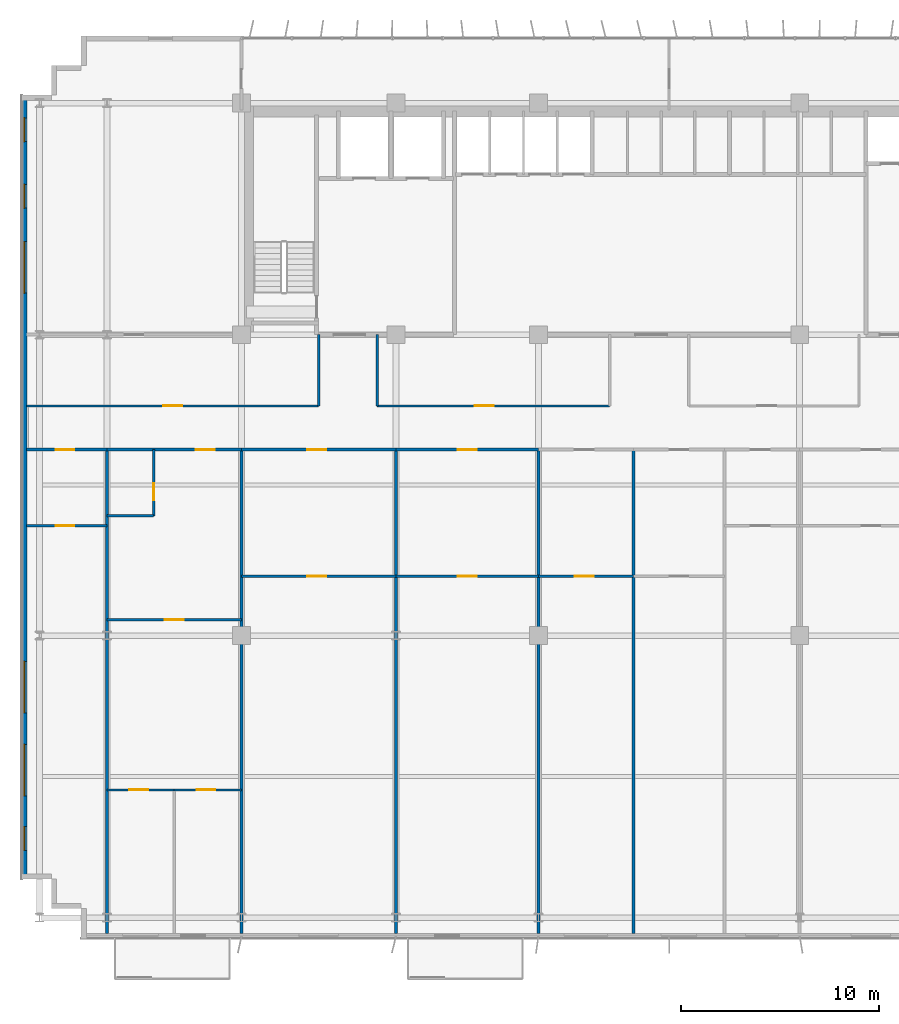
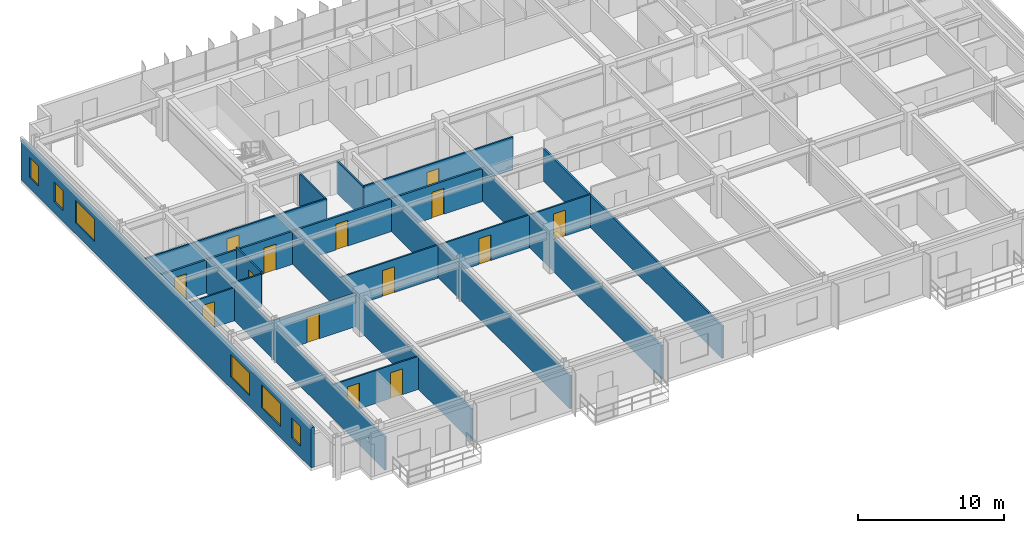
# One storey, part 15 of 22: 23 walls, 14 doors, 6 windows, 20 openings.
"""IFC4 building model written with IfcOpenShell, lengths in metres."""

from ifc_helpers import new_model, si_unit, direction, frame, frame_2d, origin, place, context, subcontext, project, spatial, rectangle, extrude, source, transform, mapped, material, layer, layer_set, type_object, element, fill, save


model = new_model("IFC4")

# Units and contexts
model_context = context("Model", 3, precision=1e-05, world=origin(), true_north=direction((0.0, 1.0)))
body_context = subcontext(model_context, "Body", "Model", "MODEL_VIEW")
ifc_project = project(units=[si_unit("LENGTHUNIT", "METRE"), si_unit("AREAUNIT", "SQUARE_METRE"), si_unit("VOLUMEUNIT", "CUBIC_METRE"), si_unit("PLANEANGLEUNIT", "RADIAN"), si_unit("MASSUNIT", "GRAM", prefix="KILO")], contexts=[model_context])

# Site, building, storey
site_placement = place(None, origin())
site = spatial("IfcSite", under=ifc_project, at=site_placement, CompositionType="ELEMENT")
building_placement = place(site_placement, origin())
building = spatial("IfcBuilding", under=site, at=building_placement, Name="Trelvane Seafront Commons", CompositionType="ELEMENT")
storey_placement = place(building_placement, frame((0.0, 0.0, 55.89990234375)))
storey = spatial("IfcBuildingStorey", under=building, at=storey_placement, Name="L14", CompositionType="ELEMENT", Elevation=55.89990234375)

# Wall, openings, windows
ifc_material_1 = material(Name="Precast concrete C40/50", Category="concrete")
ifc_layer_1 = layer(ifc_material_1, 0.260009765625, Name="ARCH-WALL-EXT260")
ifc_layer_set_1 = layer_set([ifc_layer_1], Name="Precast concrete C40/50")
wall_type_1 = type_object("IfcWallType", Name="ARCH-WALL-EXT260", PredefinedType="SOLIDWALL", material=ifc_layer_set_1)
wall_1_placement = place(storey_placement, frame((4.6298828125, 5.89990234375, 0.0), z_axis=(0.0, 0.0, 1.0), x_axis=(0.0, 1.0, 0.0)))
wall_1 = element("IfcWall", 1, at=wall_1_placement, inside=storey, type_object=wall_type_1, Name="EW-L14-00239", PredefinedType="SOLIDWALL", context=body_context, shape_type="SweptSolid", body=[
    extrude(rectangle(XDim=39.60009765625, YDim=0.260009765625, at=frame_2d((19.800048828125, 0.0))), origin(), (0.0, 0.0, 1.0), 3.340087890625),
])
opening_1_placement = place(wall_1_placement, frame((1.449951171875, 0.0, 0.919921875)))
opening_1 = element("IfcOpeningElement", 2, at=opening_1_placement, cuts=wall_1, Name="Opening W05", PredefinedType="OPENING", context=body_context, shape_type="SweptSolid", body=[
    extrude(rectangle(XDim=1.199951171875, YDim=1.64990234375, at=frame_2d((0.60009765625, 0.824951171875))), frame((0.0, 0.139892578125, 0.0), z_axis=(0.0, -1.0, 0.0), x_axis=(1.0, 0.0, 0.0)), (0.0, 0.0, 1.0), 0.280029296875),
])
opening_2_placement = place(wall_1_placement, frame((4.199951171875, 0.0, 0.919921875)))
opening_2 = element("IfcOpeningElement", 3, at=opening_2_placement, cuts=wall_1, Name="Opening W04", PredefinedType="OPENING", context=body_context, shape_type="SweptSolid", body=[
    extrude(rectangle(XDim=2.60009765625, YDim=1.89990234375, at=frame_2d((1.300048828125, 0.949951171875))), frame((0.0, 0.139892578125, 0.0), z_axis=(0.0, -1.0, 0.0), x_axis=(1.0, 0.0, 0.0)), (0.0, 0.0, 1.0), 0.280029296875),
])
opening_3_placement = place(wall_1_placement, frame((8.39990234375, 0.0, 0.919921875)))
opening_3 = element("IfcOpeningElement", 4, at=opening_3_placement, cuts=wall_1, Name="Opening W04", PredefinedType="OPENING", context=body_context, shape_type="SweptSolid", body=[
    extrude(rectangle(XDim=2.60009765625, YDim=1.89990234375, at=frame_2d((1.300048828125, 0.949951171875))), frame((0.0, 0.139892578125, 0.0), z_axis=(0.0, -1.0, 0.0), x_axis=(1.0, 0.0, 0.0)), (0.0, 0.0, 1.0), 0.280029296875),
])
opening_4_placement = place(wall_1_placement, frame((29.60009765625, 0.0, 0.919921875)))
opening_4 = element("IfcOpeningElement", 5, at=opening_4_placement, cuts=wall_1, Name="Opening W04", PredefinedType="OPENING", context=body_context, shape_type="SweptSolid", body=[
    extrude(rectangle(XDim=2.60009765625, YDim=1.89990234375, at=frame_2d((1.300048828125, 0.949951171875))), frame((0.0, 0.139892578125, 0.0), z_axis=(0.0, -1.0, 0.0), x_axis=(1.0, 0.0, 0.0)), (0.0, 0.0, 1.0), 0.280029296875),
])
opening_5_placement = place(wall_1_placement, frame((33.89990234375, 0.0, 0.919921875)))
opening_5 = element("IfcOpeningElement", 6, at=opening_5_placement, cuts=wall_1, Name="Opening W05", PredefinedType="OPENING", context=body_context, shape_type="SweptSolid", body=[
    extrude(rectangle(XDim=1.199951171875, YDim=1.64990234375, at=frame_2d((0.60009765625, 0.824951171875))), frame((0.0, 0.139892578125, 0.0), z_axis=(0.0, -1.0, 0.0), x_axis=(1.0, 0.0, 0.0)), (0.0, 0.0, 1.0), 0.280029296875),
])
opening_6_placement = place(wall_1_placement, frame((37.25, 0.0, 0.919921875)))
opening_6 = element("IfcOpeningElement", 7, at=opening_6_placement, cuts=wall_1, Name="Opening W05", PredefinedType="OPENING", context=body_context, shape_type="SweptSolid", body=[
    extrude(rectangle(XDim=1.199951171875, YDim=1.64990234375, at=frame_2d((0.60009765625, 0.824951171875))), frame((0.0, 0.139892578125, 0.0), z_axis=(0.0, -1.0, 0.0), x_axis=(1.0, 0.0, 0.0)), (0.0, 0.0, 1.0), 0.280029296875),
])
ifc_material_2 = material(Name="Low-E coastal double glazing", Category="glass")
window_type_1 = type_object("IfcWindowType", Name="ARCH-WIN-W04", PartitioningType="SINGLE_PANEL", PredefinedType="WINDOW", material=ifc_material_2)
shared_shape_1 = source(origin(), body_context, "Body", "SweptSolid", [
    extrude(rectangle(XDim=2.60009765625, YDim=1.89990234375, at=frame_2d((1.300048828125, 0.949951171875))), frame((0.0, 0.030029296875, 0.0), z_axis=(0.0, -1.0, 0.0), x_axis=(1.0, 0.0, 0.0)), (0.0, 0.0, 1.0), 0.06005859375),
])
window_1_placement = place(opening_2_placement, origin())
window_1 = element("IfcWindow", 8, at=window_1_placement, inside=storey, type_object=window_type_1, Name="WIN-L14-EW-00291", OverallHeight=1.89990234375, OverallWidth=2.60009765625, PartitioningType="SINGLE_PANEL", PredefinedType="WINDOW", context=body_context, shape_type="MappedRepresentation", body=[
    mapped(shared_shape_1, transform((0.0, 0.0, 0.0), x_axis=(1.0, 0.0, 0.0), y_axis=(0.0, 1.0, 0.0), z_axis=(0.0, 0.0, 1.0), scale=1.0)),
])
fill(opening_2, window_1)
window_2_placement = place(opening_3_placement, origin())
window_2 = element("IfcWindow", 9, at=window_2_placement, inside=storey, type_object=window_type_1, Name="WIN-L14-EW-00292", OverallHeight=1.89990234375, OverallWidth=2.60009765625, PartitioningType="SINGLE_PANEL", PredefinedType="WINDOW", context=body_context, shape_type="MappedRepresentation", body=[
    mapped(shared_shape_1, transform((0.0, 0.0, 0.0), x_axis=(1.0, 0.0, 0.0), y_axis=(0.0, 1.0, 0.0), z_axis=(0.0, 0.0, 1.0), scale=1.0)),
])
fill(opening_3, window_2)
window_3_placement = place(opening_4_placement, origin())
window_3 = element("IfcWindow", 10, at=window_3_placement, inside=storey, type_object=window_type_1, Name="WIN-L14-EW-00293", OverallHeight=1.89990234375, OverallWidth=2.60009765625, PartitioningType="SINGLE_PANEL", PredefinedType="WINDOW", context=body_context, shape_type="MappedRepresentation", body=[
    mapped(shared_shape_1, transform((0.0, 0.0, 0.0), x_axis=(1.0, 0.0, 0.0), y_axis=(0.0, 1.0, 0.0), z_axis=(0.0, 0.0, 1.0), scale=1.0)),
])
fill(opening_4, window_3)
window_type_2 = type_object("IfcWindowType", Name="ARCH-WIN-W05", PartitioningType="SINGLE_PANEL", PredefinedType="WINDOW", material=ifc_material_2)
shared_shape_2 = source(origin(), body_context, "Body", "SweptSolid", [
    extrude(rectangle(XDim=1.199951171875, YDim=1.64990234375, at=frame_2d((0.60009765625, 0.824951171875))), frame((0.0, 0.030029296875, 0.0), z_axis=(0.0, -1.0, 0.0), x_axis=(1.0, 0.0, 0.0)), (0.0, 0.0, 1.0), 0.06005859375),
])
window_4_placement = place(opening_1_placement, origin())
window_4 = element("IfcWindow", 11, at=window_4_placement, inside=storey, type_object=window_type_2, Name="WIN-L14-EW-00290", OverallHeight=1.64990234375, OverallWidth=1.199951171875, PartitioningType="SINGLE_PANEL", PredefinedType="WINDOW", context=body_context, shape_type="MappedRepresentation", body=[
    mapped(shared_shape_2, transform((0.0, 0.0, 0.0), x_axis=(1.0, 0.0, 0.0), y_axis=(0.0, 1.0, 0.0), z_axis=(0.0, 0.0, 1.0), scale=1.0)),
])
fill(opening_1, window_4)
window_5_placement = place(opening_5_placement, origin())
window_5 = element("IfcWindow", 12, at=window_5_placement, inside=storey, type_object=window_type_2, Name="WIN-L14-EW-00294", OverallHeight=1.64990234375, OverallWidth=1.199951171875, PartitioningType="SINGLE_PANEL", PredefinedType="WINDOW", context=body_context, shape_type="MappedRepresentation", body=[
    mapped(shared_shape_2, transform((0.0, 0.0, 0.0), x_axis=(1.0, 0.0, 0.0), y_axis=(0.0, 1.0, 0.0), z_axis=(0.0, 0.0, 1.0), scale=1.0)),
])
fill(opening_5, window_5)
window_6_placement = place(opening_6_placement, origin())
window_6 = element("IfcWindow", 13, at=window_6_placement, inside=storey, type_object=window_type_2, Name="WIN-L14-EW-00295", OverallHeight=1.64990234375, OverallWidth=1.199951171875, PartitioningType="SINGLE_PANEL", PredefinedType="WINDOW", context=body_context, shape_type="MappedRepresentation", body=[
    mapped(shared_shape_2, transform((0.0, 0.0, 0.0), x_axis=(1.0, 0.0, 0.0), y_axis=(0.0, 1.0, 0.0), z_axis=(0.0, 0.0, 1.0), scale=1.0)),
])
fill(opening_6, window_6)

# Wall, opening, door
ifc_material_3 = material(Name="Gypsum Drywall Acoustic Partition")
ifc_layer_2 = layer(ifc_material_3, 0.1201171875, Name="ARCH-WALL-PART120")
ifc_layer_set_2 = layer_set([ifc_layer_2], Name="Gypsum Drywall Acoustic Partition")
wall_type_2 = type_object("IfcWallType", Name="ARCH-WALL-PART120", PredefinedType="PARTITIONING", material=ifc_layer_set_2)
wall_2_placement = place(storey_placement, frame((4.75, 29.800048828125, 0.0), z_axis=(0.0, 0.0, 1.0), x_axis=(1.0, 0.0, 0.0)))
wall_2 = element("IfcWall", 14, at=wall_2_placement, inside=storey, type_object=wall_type_2, Name="W-L14-CORR-N-W-038", PredefinedType="PARTITIONING", context=body_context, shape_type="SweptSolid", body=[
    extrude(rectangle(XDim=14.75, YDim=0.1201171875, at=frame_2d((7.375, 0.0))), origin(), (0.0, 0.0, 1.0), 2.752197265625),
])
opening_7_placement = place(wall_2_placement, frame((6.89990234375, 0.0, 0.0)))
opening_7 = element("IfcOpeningElement", 15, at=opening_7_placement, cuts=wall_2, Name="Opening D-L14-17", PredefinedType="OPENING", context=body_context, shape_type="SweptSolid", body=[
    extrude(rectangle(XDim=0.949951171875, YDim=2.14990234375, at=frame_2d((0.47509765625, 1.074951171875))), frame((0.0, 0.070068359375, 0.0), z_axis=(0.0, -1.0, 0.0), x_axis=(1.0, 0.0, 0.0)), (0.0, 0.0, 1.0), 0.14013671875),
])
ifc_material_4 = material(Name="Acoustic timber door leaf", Category="wood")
door_type_1 = type_object("IfcDoorType", Name="ARCH-DR-INT950", OperationType="NOTDEFINED", PredefinedType="DOOR", material=ifc_material_4)
shared_shape_3 = source(origin(), body_context, "Body", "SweptSolid", [
    extrude(rectangle(XDim=0.949951171875, YDim=2.14990234375, at=frame_2d((0.47509765625, 1.074951171875))), frame((0.0, 0.02490234375, 0.0), z_axis=(0.0, -1.0, 0.0), x_axis=(1.0, 0.0, 0.0)), (0.0, 0.0, 1.0), 0.050048828125),
])
door_1_placement = place(opening_7_placement, origin())
door_1 = element("IfcDoor", 16, at=door_1_placement, inside=storey, type_object=door_type_1, Name="L14 Door 17", OperationType="SINGLE_SWING_LEFT", OverallHeight=2.14990234375, OverallWidth=0.949951171875, PredefinedType="DOOR", context=body_context, shape_type="MappedRepresentation", body=[
    mapped(shared_shape_3, transform((0.0, 0.0, 0.0), x_axis=(1.0, 0.0, 0.0), y_axis=(0.0, 1.0, 0.0), z_axis=(0.0, 0.0, 1.0), scale=1.0)),
])
fill(opening_7, door_1)

wall_3_placement = place(storey_placement, frame((22.449951171875, 29.800048828125, 0.0), z_axis=(0.0, 0.0, 1.0), x_axis=(1.0, 0.0, 0.0)))
wall_3 = element("IfcWall", 17, at=wall_3_placement, inside=storey, type_object=wall_type_2, Name="W-L14-CORR-N-M1-039", PredefinedType="PARTITIONING", context=body_context, shape_type="SweptSolid", body=[
    extrude(rectangle(XDim=11.75, YDim=0.1201171875, at=frame_2d((5.875, 0.0))), origin(), (0.0, 0.0, 1.0), 2.752197265625),
])
opening_8_placement = place(wall_3_placement, frame((4.944091796875, 0.0, 0.0)))
opening_8 = element("IfcOpeningElement", 18, at=opening_8_placement, cuts=wall_3, Name="Opening D-L14-18", PredefinedType="OPENING", context=body_context, shape_type="SweptSolid", body=[
    extrude(rectangle(XDim=0.949951171875, YDim=2.14990234375, at=frame_2d((0.47509765625, 1.074951171875))), frame((0.0, 0.070068359375, 0.0), z_axis=(0.0, -1.0, 0.0), x_axis=(1.0, 0.0, 0.0)), (0.0, 0.0, 1.0), 0.14013671875),
])
door_2_placement = place(opening_8_placement, origin())
door_2 = element("IfcDoor", 19, at=door_2_placement, inside=storey, type_object=door_type_1, Name="L14 Door 18", OperationType="SINGLE_SWING_RIGHT", OverallHeight=2.14990234375, OverallWidth=0.949951171875, PredefinedType="DOOR", context=body_context, shape_type="MappedRepresentation", body=[
    mapped(shared_shape_3, transform((0.0, 0.0, 0.0), x_axis=(1.0, 0.0, 0.0), y_axis=(0.0, 1.0, 0.0), z_axis=(0.0, 0.0, 1.0), scale=1.0)),
])
fill(opening_8, door_2)

# Walls
for number, where, z_axis, x_axis, name in (
    (20, (19.5, 29.800048828125, 0.0), (0.0, 0.0, 1.0), (0.0, 1.0, 0.0), "W-L14-N-SPUR-W1-043"),
    (21, (22.449951171875, 29.800048828125, 0.0), (0.0, 0.0, 1.0), (0.0, 1.0, 0.0), "W-L14-N-SPUR-W2-044"),
):
    element("IfcWall", number, at=place(storey_placement, frame(where, z_axis=z_axis, x_axis=x_axis)), inside=storey, type_object=wall_type_2, Name=name, PredefinedType="PARTITIONING", context=body_context, shape_type="SweptSolid", body=[
        extrude(rectangle(XDim=3.599853515625, YDim=0.1201171875, at=frame_2d((1.7998046875, 0.0))), origin(), (0.0, 0.0, 1.0), 2.690185546875),
    ])

# Wall, opening, door
wall_4_placement = place(storey_placement, frame((4.7451171875, 23.75, 0.0), z_axis=(0.0, 0.0, 1.0), x_axis=(1.0, 0.0, 0.0)))
wall_4 = element("IfcWall", 22, at=wall_4_placement, inside=storey, type_object=wall_type_2, Name="W-L14-U1-DIV-065", PredefinedType="PARTITIONING", context=body_context, shape_type="SweptSolid", body=[
    extrude(rectangle(XDim=4.054931640625, YDim=0.1201171875, at=frame_2d((2.02734375, 0.0))), origin(), (0.0, 0.0, 1.0), 2.752197265625),
])
opening_9_placement = place(wall_4_placement, frame((1.4619140625, 0.0, 0.0)))
opening_9 = element("IfcOpeningElement", 23, at=opening_9_placement, cuts=wall_4, Name="Opening D-L14-28", PredefinedType="OPENING", context=body_context, shape_type="SweptSolid", body=[
    extrude(rectangle(XDim=0.949951171875, YDim=2.14990234375, at=frame_2d((0.47509765625, 1.074951171875))), frame((0.0, 0.070068359375, 0.0), z_axis=(0.0, -1.0, 0.0), x_axis=(1.0, 0.0, 0.0)), (0.0, 0.0, 1.0), 0.14013671875),
])
door_3_placement = place(opening_9_placement, origin())
door_3 = element("IfcDoor", 24, at=door_3_placement, inside=storey, type_object=door_type_1, Name="L14 Door 28", OperationType="SINGLE_SWING_RIGHT", OverallHeight=2.14990234375, OverallWidth=0.949951171875, PredefinedType="DOOR", context=body_context, shape_type="MappedRepresentation", body=[
    mapped(shared_shape_3, transform((0.0, 0.0, 0.0), x_axis=(1.0, 0.0, 0.0), y_axis=(0.0, 1.0, 0.0), z_axis=(0.0, 0.0, 1.0), scale=1.0)),
])
fill(opening_9, door_3)

wall_5_placement = place(storey_placement, frame((8.800048828125, 19.0, 0.0), z_axis=(0.0, 0.0, 1.0), x_axis=(1.0, 0.0, 0.0)))
wall_5 = element("IfcWall", 25, at=wall_5_placement, inside=storey, type_object=wall_type_2, Name="W-L14-U2-KL-066", PredefinedType="PARTITIONING", context=body_context, shape_type="SweptSolid", body=[
    extrude(rectangle(XDim=6.800048828125, YDim=0.1201171875, at=frame_2d((3.39990234375, 0.0))), origin(), (0.0, 0.0, 1.0), 2.752197265625),
])
opening_10_placement = place(wall_5_placement, frame((2.925048828125, 0.0, 0.0)))
opening_10 = element("IfcOpeningElement", 26, at=opening_10_placement, cuts=wall_5, Name="Opening D-L14-29", PredefinedType="OPENING", context=body_context, shape_type="SweptSolid", body=[
    extrude(rectangle(XDim=0.949951171875, YDim=2.14990234375, at=frame_2d((0.47509765625, 1.074951171875))), frame((0.0, 0.070068359375, 0.0), z_axis=(0.0, -1.0, 0.0), x_axis=(1.0, 0.0, 0.0)), (0.0, 0.0, 1.0), 0.14013671875),
])
door_4_placement = place(opening_10_placement, origin())
door_4 = element("IfcDoor", 27, at=door_4_placement, inside=storey, type_object=door_type_1, Name="L14 Door 29", OperationType="SINGLE_SWING_LEFT", OverallHeight=2.14990234375, OverallWidth=0.949951171875, PredefinedType="DOOR", context=body_context, shape_type="MappedRepresentation", body=[
    mapped(shared_shape_3, transform((0.0, 0.0, 0.0), x_axis=(1.0, 0.0, 0.0), y_axis=(0.0, 1.0, 0.0), z_axis=(0.0, 0.0, 1.0), scale=1.0)),
])
fill(opening_10, door_4)

wall_6_placement = place(storey_placement, frame((11.162109375, 24.25, 0.0), z_axis=(0.0, 0.0, 1.0), x_axis=(0.0, 1.0, 0.0)))
wall_6 = element("IfcWall", 28, at=wall_6_placement, inside=storey, type_object=wall_type_2, Name="W-L14-U2-BE-067", PredefinedType="PARTITIONING", context=body_context, shape_type="SweptSolid", body=[
    extrude(rectangle(XDim=3.35009765625, YDim=0.1201171875, at=frame_2d((1.675048828125, 0.0))), origin(), (0.0, 0.0, 1.0), 2.940185546875),
])
opening_11_placement = place(wall_6_placement, frame((0.800048828125, 0.0, 0.0)))
opening_11 = element("IfcOpeningElement", 29, at=opening_11_placement, cuts=wall_6, Name="Opening D-L14-30", PredefinedType="OPENING", context=body_context, shape_type="SweptSolid", body=[
    extrude(rectangle(XDim=0.85009765625, YDim=2.10009765625, at=frame_2d((0.425048828125, 1.050048828125))), frame((0.0, 0.070068359375, 0.0), z_axis=(0.0, -1.0, 0.0), x_axis=(1.0, 0.0, 0.0)), (0.0, 0.0, 1.0), 0.14013671875),
])
door_type_2 = type_object("IfcDoorType", Name="ARCH-DR-INT850", OperationType="NOTDEFINED", PredefinedType="DOOR", material=ifc_material_4)
shared_shape_4 = source(origin(), body_context, "Body", "SweptSolid", [
    extrude(rectangle(XDim=0.85009765625, YDim=2.10009765625, at=frame_2d((0.425048828125, 1.050048828125))), frame((0.0, 0.02490234375, 0.0), z_axis=(0.0, -1.0, 0.0), x_axis=(1.0, 0.0, 0.0)), (0.0, 0.0, 1.0), 0.050048828125),
])
door_5_placement = place(opening_11_placement, origin())
door_5 = element("IfcDoor", 30, at=door_5_placement, inside=storey, type_object=door_type_2, Name="L14 Door 30", OperationType="SINGLE_SWING_RIGHT", OverallHeight=2.10009765625, OverallWidth=0.85009765625, PredefinedType="DOOR", context=body_context, shape_type="MappedRepresentation", body=[
    mapped(shared_shape_4, transform((0.0, 0.0, 0.0), x_axis=(1.0, 0.0, 0.0), y_axis=(0.0, 1.0, 0.0), z_axis=(0.0, 0.0, 1.0), scale=1.0)),
])
fill(opening_11, door_5)

# Wall
wall_7_placement = place(storey_placement, frame((8.800048828125, 24.25, 0.0), z_axis=(0.0, 0.0, 1.0), x_axis=(1.0, 0.0, 0.0)))
element("IfcWall", 31, at=wall_7_placement, inside=storey, type_object=wall_type_2, Name="W-L14-U2-BS-068", PredefinedType="PARTITIONING", context=body_context, shape_type="SweptSolid", body=[
    extrude(rectangle(XDim=2.362060546875, YDim=0.1201171875, at=frame_2d((1.18115234375, 0.0))), origin(), (0.0, 0.0, 1.0), 2.752197265625),
])

# Wall, opening, door
wall_8_placement = place(storey_placement, frame((8.800048828125, 10.39990234375, 0.0), z_axis=(0.0, 0.0, 1.0), x_axis=(1.0, 0.0, 0.0)))
wall_8 = element("IfcWall", 32, at=wall_8_placement, inside=storey, type_object=wall_type_2, Name="W-L14-U2-YM-1-070", PredefinedType="PARTITIONING", context=body_context, shape_type="SweptSolid", body=[
    extrude(rectangle(XDim=3.39990234375, YDim=0.1201171875, at=frame_2d((1.699951171875, 0.0))), origin(), (0.0, 0.0, 1.0), 2.752197265625),
])
opening_12_placement = place(wall_8_placement, frame((1.131103515625, 0.0, 0.0)))
opening_12 = element("IfcOpeningElement", 33, at=opening_12_placement, cuts=wall_8, Name="Opening D-L14-32", PredefinedType="OPENING", context=body_context, shape_type="SweptSolid", body=[
    extrude(rectangle(XDim=0.949951171875, YDim=2.14990234375, at=frame_2d((0.47509765625, 1.074951171875))), frame((0.0, 0.070068359375, 0.0), z_axis=(0.0, -1.0, 0.0), x_axis=(1.0, 0.0, 0.0)), (0.0, 0.0, 1.0), 0.14013671875),
])
door_6_placement = place(opening_12_placement, origin())
door_6 = element("IfcDoor", 34, at=door_6_placement, inside=storey, type_object=door_type_1, Name="L14 Door 32", OperationType="SINGLE_SWING_RIGHT", OverallHeight=2.14990234375, OverallWidth=0.949951171875, PredefinedType="DOOR", context=body_context, shape_type="MappedRepresentation", body=[
    mapped(shared_shape_3, transform((0.0, 0.0, 0.0), x_axis=(1.0, 0.0, 0.0), y_axis=(0.0, 1.0, 0.0), z_axis=(0.0, 0.0, 1.0), scale=1.0)),
])
fill(opening_12, door_6)

wall_9_placement = place(storey_placement, frame((12.199951171875, 10.39990234375, 0.0), z_axis=(0.0, 0.0, 1.0), x_axis=(1.0, 0.0, 0.0)))
wall_9 = element("IfcWall", 35, at=wall_9_placement, inside=storey, type_object=wall_type_2, Name="W-L14-U2-YM-2-071", PredefinedType="PARTITIONING", context=body_context, shape_type="SweptSolid", body=[
    extrude(rectangle(XDim=3.400146484375, YDim=0.1201171875, at=frame_2d((1.7001953125, 0.0))), origin(), (0.0, 0.0, 1.0), 2.752197265625),
])
opening_13_placement = place(wall_9_placement, frame((1.131103515625, 0.0, 0.0)))
opening_13 = element("IfcOpeningElement", 36, at=opening_13_placement, cuts=wall_9, Name="Opening D-L14-33", PredefinedType="OPENING", context=body_context, shape_type="SweptSolid", body=[
    extrude(rectangle(XDim=0.949951171875, YDim=2.14990234375, at=frame_2d((0.47509765625, 1.074951171875))), frame((0.0, 0.070068359375, 0.0), z_axis=(0.0, -1.0, 0.0), x_axis=(1.0, 0.0, 0.0)), (0.0, 0.0, 1.0), 0.14013671875),
])
door_7_placement = place(opening_13_placement, origin())
door_7 = element("IfcDoor", 37, at=door_7_placement, inside=storey, type_object=door_type_1, Name="L14 Door 33", OperationType="SINGLE_SWING_LEFT", OverallHeight=2.14990234375, OverallWidth=0.949951171875, PredefinedType="DOOR", context=body_context, shape_type="MappedRepresentation", body=[
    mapped(shared_shape_3, transform((0.0, 0.0, 0.0), x_axis=(1.0, 0.0, 0.0), y_axis=(0.0, 1.0, 0.0), z_axis=(0.0, 0.0, 1.0), scale=1.0)),
])
fill(opening_13, door_7)

wall_10_placement = place(storey_placement, frame((15.60009765625, 21.199951171875, 0.0), z_axis=(0.0, 0.0, 1.0), x_axis=(1.0, 0.0, 0.0)))
wall_10 = element("IfcWall", 38, at=wall_10_placement, inside=storey, type_object=wall_type_2, Name="W-L14-U3-DIV-074", PredefinedType="PARTITIONING", context=body_context, shape_type="SweptSolid", body=[
    extrude(rectangle(XDim=7.7998046875, YDim=0.1201171875, at=frame_2d((3.89990234375, 0.0))), origin(), (0.0, 0.0, 1.0), 2.752197265625),
])
opening_14_placement = place(wall_10_placement, frame((3.3330078125, 0.0, 0.0)))
opening_14 = element("IfcOpeningElement", 39, at=opening_14_placement, cuts=wall_10, Name="Opening D-L14-35", PredefinedType="OPENING", context=body_context, shape_type="SweptSolid", body=[
    extrude(rectangle(XDim=0.949951171875, YDim=2.14990234375, at=frame_2d((0.47509765625, 1.074951171875))), frame((0.0, 0.070068359375, 0.0), z_axis=(0.0, -1.0, 0.0), x_axis=(1.0, 0.0, 0.0)), (0.0, 0.0, 1.0), 0.14013671875),
])
door_8_placement = place(opening_14_placement, origin())
door_8 = element("IfcDoor", 40, at=door_8_placement, inside=storey, type_object=door_type_1, Name="L14 Door 35", OperationType="SINGLE_SWING_LEFT", OverallHeight=2.14990234375, OverallWidth=0.949951171875, PredefinedType="DOOR", context=body_context, shape_type="MappedRepresentation", body=[
    mapped(shared_shape_3, transform((0.0, 0.0, 0.0), x_axis=(1.0, 0.0, 0.0), y_axis=(0.0, 1.0, 0.0), z_axis=(0.0, 0.0, 1.0), scale=1.0)),
])
fill(opening_14, door_8)

wall_11_placement = place(storey_placement, frame((23.39990234375, 21.199951171875, 0.0), z_axis=(0.0, 0.0, 1.0), x_axis=(1.0, 0.0, 0.0)))
wall_11 = element("IfcWall", 41, at=wall_11_placement, inside=storey, type_object=wall_type_2, Name="W-L14-U4-DIV-076", PredefinedType="PARTITIONING", context=body_context, shape_type="SweptSolid", body=[
    extrude(rectangle(XDim=7.2001953125, YDim=0.1201171875, at=frame_2d((3.60009765625, 0.0))), origin(), (0.0, 0.0, 1.0), 2.752197265625),
])
opening_15_placement = place(wall_11_placement, frame((3.125, 0.0, 0.0)))
opening_15 = element("IfcOpeningElement", 42, at=opening_15_placement, cuts=wall_11, Name="Opening D-L14-37", PredefinedType="OPENING", context=body_context, shape_type="SweptSolid", body=[
    extrude(rectangle(XDim=0.949951171875, YDim=2.14990234375, at=frame_2d((0.47509765625, 1.074951171875))), frame((0.0, 0.070068359375, 0.0), z_axis=(0.0, -1.0, 0.0), x_axis=(1.0, 0.0, 0.0)), (0.0, 0.0, 1.0), 0.14013671875),
])
door_9_placement = place(opening_15_placement, origin())
door_9 = element("IfcDoor", 43, at=door_9_placement, inside=storey, type_object=door_type_1, Name="L14 Door 37", OperationType="SINGLE_SWING_LEFT", OverallHeight=2.14990234375, OverallWidth=0.949951171875, PredefinedType="DOOR", context=body_context, shape_type="MappedRepresentation", body=[
    mapped(shared_shape_3, transform((0.0, 0.0, 0.0), x_axis=(1.0, 0.0, 0.0), y_axis=(0.0, 1.0, 0.0), z_axis=(0.0, 0.0, 1.0), scale=1.0)),
])
fill(opening_15, door_9)

wall_12_placement = place(storey_placement, frame((30.60009765625, 21.199951171875, 0.0), z_axis=(0.0, 0.0, 1.0), x_axis=(1.0, 0.0, 0.0)))
wall_12 = element("IfcWall", 44, at=wall_12_placement, inside=storey, type_object=wall_type_2, Name="W-L14-U5-DIV-078", PredefinedType="PARTITIONING", context=body_context, shape_type="SweptSolid", body=[
    extrude(rectangle(XDim=4.7998046875, YDim=0.1201171875, at=frame_2d((2.39990234375, 0.0))), origin(), (0.0, 0.0, 1.0), 2.752197265625),
])
opening_16_placement = place(wall_12_placement, frame((1.833984375, 0.0, 0.0)))
opening_16 = element("IfcOpeningElement", 45, at=opening_16_placement, cuts=wall_12, Name="Opening D-L14-39", PredefinedType="OPENING", context=body_context, shape_type="SweptSolid", body=[
    extrude(rectangle(XDim=0.949951171875, YDim=2.14990234375, at=frame_2d((0.47509765625, 1.074951171875))), frame((0.0, 0.070068359375, 0.0), z_axis=(0.0, -1.0, 0.0), x_axis=(1.0, 0.0, 0.0)), (0.0, 0.0, 1.0), 0.14013671875),
])
door_10_placement = place(opening_16_placement, origin())
door_10 = element("IfcDoor", 46, at=door_10_placement, inside=storey, type_object=door_type_1, Name="L14 Door 39", OperationType="SINGLE_SWING_LEFT", OverallHeight=2.14990234375, OverallWidth=0.949951171875, PredefinedType="DOOR", context=body_context, shape_type="MappedRepresentation", body=[
    mapped(shared_shape_3, transform((0.0, 0.0, 0.0), x_axis=(1.0, 0.0, 0.0), y_axis=(0.0, 1.0, 0.0), z_axis=(0.0, 0.0, 1.0), scale=1.0)),
])
fill(opening_16, door_10)

# Walls
ifc_layer_3 = layer(ifc_material_3, 0.14990234375, Name="ARCH-WALL-PART150")
ifc_layer_set_3 = layer_set([ifc_layer_3], Name="Gypsum Drywall Acoustic Partition")
wall_type_3 = type_object("IfcWallType", Name="ARCH-WALL-PART150", PredefinedType="PARTITIONING", material=ifc_layer_set_3)
for number, where, z_axis, x_axis, name in (
    (47, (8.800048828125, 3.14501953125, 0.0), (0.0, 0.0, 1.0), (0.0, 1.0, 0.0), "W-L14-PW-1-054"),
    (48, (15.60009765625, 3.14501953125, 0.0), (0.0, 0.0, 1.0), (0.0, 1.0, 0.0), "W-L14-PW-2-055"),
    (49, (23.39990234375, 3.14501953125, 0.0), (0.0, 0.0, 1.0), (0.0, 1.0, 0.0), "W-L14-PW-3-056"),
    (50, (30.60009765625, 3.14501953125, 0.0), (0.0, 0.0, 1.0), (0.0, 1.0, 0.0), "W-L14-PW-4-057"),
):
    element("IfcWall", number, at=place(storey_placement, frame(where, z_axis=z_axis, x_axis=x_axis)), inside=storey, type_object=wall_type_3, Name=name, PredefinedType="PARTITIONING", context=body_context, shape_type="SweptSolid", body=[
        extrude(rectangle(XDim=24.455078125, YDim=0.14990234375, at=frame_2d((12.2275390625, 0.0))), origin(), (0.0, 0.0, 1.0), 2.752197265625),
    ])
wall_13_placement = place(storey_placement, frame((35.39990234375, 3.14501953125, 0.0), z_axis=(0.0, 0.0, 1.0), x_axis=(0.0, 1.0, 0.0)))
element("IfcWall", 51, at=wall_13_placement, inside=storey, type_object=wall_type_3, Name="W-L14-PW-5-058", PredefinedType="PARTITIONING", context=body_context, shape_type="SweptSolid", body=[
    extrude(rectangle(XDim=24.455078125, YDim=0.14990234375, at=frame_2d((12.2275390625, 0.0))), origin(), (0.0, 0.0, 1.0), 2.690185546875),
])

# Wall, opening, door
wall_14_placement = place(storey_placement, frame((4.7451171875, 27.60009765625, 0.0), z_axis=(0.0, 0.0, 1.0), x_axis=(1.0, 0.0, 0.0)))
wall_14 = element("IfcWall", 52, at=wall_14_placement, inside=storey, type_object=wall_type_3, Name="W-L14-CS-BAY-1-064", PredefinedType="PARTITIONING", context=body_context, shape_type="SweptSolid", body=[
    extrude(rectangle(XDim=4.054931640625, YDim=0.14990234375, at=frame_2d((2.02734375, 0.0))), origin(), (0.0, 0.0, 1.0), 2.752197265625),
])
opening_17_placement = place(wall_14_placement, frame((1.4619140625, 0.0, 0.0)))
opening_17 = element("IfcOpeningElement", 53, at=opening_17_placement, cuts=wall_14, Name="Opening FD-L14-27", PredefinedType="OPENING", context=body_context, shape_type="SweptSolid", body=[
    extrude(rectangle(XDim=0.949951171875, YDim=2.14990234375, at=frame_2d((0.47509765625, 1.074951171875))), frame((0.0, 0.0849609375, 0.0), z_axis=(0.0, -1.0, 0.0), x_axis=(1.0, 0.0, 0.0)), (0.0, 0.0, 1.0), 0.169921875),
])
ifc_material_5 = material(Name="Powder-coated aluminium frame", Category="aluminium")
door_type_3 = type_object("IfcDoorType", Name="ARCH-DR-FD60-950", OperationType="NOTDEFINED", PredefinedType="DOOR", material=ifc_material_5)
door_11_placement = place(opening_17_placement, origin())
door_11 = element("IfcDoor", 54, at=door_11_placement, inside=storey, type_object=door_type_3, Name="L14 Bay 01 Entrance Door", OperationType="SINGLE_SWING_LEFT", OverallHeight=2.14990234375, OverallWidth=0.949951171875, PredefinedType="DOOR", context=body_context, shape_type="MappedRepresentation", body=[
    mapped(shared_shape_3, transform((0.0, 0.0, 0.0), x_axis=(1.0, 0.0, 0.0), y_axis=(0.0, 1.0, 0.0), z_axis=(0.0, 0.0, 1.0), scale=1.0)),
])
fill(opening_17, door_11)

wall_15_placement = place(storey_placement, frame((8.800048828125, 27.60009765625, 0.0), z_axis=(0.0, 0.0, 1.0), x_axis=(1.0, 0.0, 0.0)))
wall_15 = element("IfcWall", 55, at=wall_15_placement, inside=storey, type_object=wall_type_3, Name="W-L14-CS-BAY-2-069", PredefinedType="PARTITIONING", context=body_context, shape_type="SweptSolid", body=[
    extrude(rectangle(XDim=6.800048828125, YDim=0.14990234375, at=frame_2d((3.39990234375, 0.0))), origin(), (0.0, 0.0, 1.0), 2.752197265625),
])
opening_18_placement = place(wall_15_placement, frame((4.489990234375, 0.0, 0.0)))
opening_18 = element("IfcOpeningElement", 56, at=opening_18_placement, cuts=wall_15, Name="Opening FD-L14-31", PredefinedType="OPENING", context=body_context, shape_type="SweptSolid", body=[
    extrude(rectangle(XDim=0.949951171875, YDim=2.14990234375, at=frame_2d((0.47509765625, 1.074951171875))), frame((0.0, 0.0849609375, 0.0), z_axis=(0.0, -1.0, 0.0), x_axis=(1.0, 0.0, 0.0)), (0.0, 0.0, 1.0), 0.169921875),
])
door_12_placement = place(opening_18_placement, origin())
door_12 = element("IfcDoor", 57, at=door_12_placement, inside=storey, type_object=door_type_3, Name="L14 Unit 02 Entrance Door", OperationType="SINGLE_SWING_LEFT", OverallHeight=2.14990234375, OverallWidth=0.949951171875, PredefinedType="DOOR", context=body_context, shape_type="MappedRepresentation", body=[
    mapped(shared_shape_3, transform((0.0, 0.0, 0.0), x_axis=(1.0, 0.0, 0.0), y_axis=(0.0, 1.0, 0.0), z_axis=(0.0, 0.0, 1.0), scale=1.0)),
])
fill(opening_18, door_12)

wall_16_placement = place(storey_placement, frame((15.60009765625, 27.60009765625, 0.0), z_axis=(0.0, 0.0, 1.0), x_axis=(1.0, 0.0, 0.0)))
wall_16 = element("IfcWall", 58, at=wall_16_placement, inside=storey, type_object=wall_type_3, Name="W-L14-CS-BAY-3-073", PredefinedType="PARTITIONING", context=body_context, shape_type="SweptSolid", body=[
    extrude(rectangle(XDim=7.7998046875, YDim=0.14990234375, at=frame_2d((3.89990234375, 0.0))), origin(), (0.0, 0.0, 1.0), 2.752197265625),
])
opening_19_placement = place(wall_16_placement, frame((3.3330078125, 0.0, 0.0)))
opening_19 = element("IfcOpeningElement", 59, at=opening_19_placement, cuts=wall_16, Name="Opening FD-L14-34", PredefinedType="OPENING", context=body_context, shape_type="SweptSolid", body=[
    extrude(rectangle(XDim=0.949951171875, YDim=2.14990234375, at=frame_2d((0.47509765625, 1.074951171875))), frame((0.0, 0.0849609375, 0.0), z_axis=(0.0, -1.0, 0.0), x_axis=(1.0, 0.0, 0.0)), (0.0, 0.0, 1.0), 0.169921875),
])
door_13_placement = place(opening_19_placement, origin())
door_13 = element("IfcDoor", 60, at=door_13_placement, inside=storey, type_object=door_type_3, Name="L14 Bay 03 Entrance Door", OperationType="SINGLE_SWING_RIGHT", OverallHeight=2.14990234375, OverallWidth=0.949951171875, PredefinedType="DOOR", context=body_context, shape_type="MappedRepresentation", body=[
    mapped(shared_shape_3, transform((0.0, 0.0, 0.0), x_axis=(1.0, 0.0, 0.0), y_axis=(0.0, 1.0, 0.0), z_axis=(0.0, 0.0, 1.0), scale=1.0)),
])
fill(opening_19, door_13)

wall_17_placement = place(storey_placement, frame((23.39990234375, 27.60009765625, 0.0), z_axis=(0.0, 0.0, 1.0), x_axis=(1.0, 0.0, 0.0)))
wall_17 = element("IfcWall", 61, at=wall_17_placement, inside=storey, type_object=wall_type_3, Name="W-L14-CS-BAY-4-075", PredefinedType="PARTITIONING", context=body_context, shape_type="SweptSolid", body=[
    extrude(rectangle(XDim=7.2001953125, YDim=0.14990234375, at=frame_2d((3.60009765625, 0.0))), origin(), (0.0, 0.0, 1.0), 2.752197265625),
])
opening_20_placement = place(wall_17_placement, frame((3.125, 0.0, 0.0)))
opening_20 = element("IfcOpeningElement", 62, at=opening_20_placement, cuts=wall_17, Name="Opening FD-L14-36", PredefinedType="OPENING", context=body_context, shape_type="SweptSolid", body=[
    extrude(rectangle(XDim=0.949951171875, YDim=2.14990234375, at=frame_2d((0.47509765625, 1.074951171875))), frame((0.0, 0.0849609375, 0.0), z_axis=(0.0, -1.0, 0.0), x_axis=(1.0, 0.0, 0.0)), (0.0, 0.0, 1.0), 0.169921875),
])
door_14_placement = place(opening_20_placement, origin())
door_14 = element("IfcDoor", 63, at=door_14_placement, inside=storey, type_object=door_type_3, Name="L14 Bay 04 Entrance Door", OperationType="SINGLE_SWING_RIGHT", OverallHeight=2.14990234375, OverallWidth=0.949951171875, PredefinedType="DOOR", context=body_context, shape_type="MappedRepresentation", body=[
    mapped(shared_shape_3, transform((0.0, 0.0, 0.0), x_axis=(1.0, 0.0, 0.0), y_axis=(0.0, 1.0, 0.0), z_axis=(0.0, 0.0, 1.0), scale=1.0)),
])
fill(opening_20, door_14)

save(model, "model.ifc")
